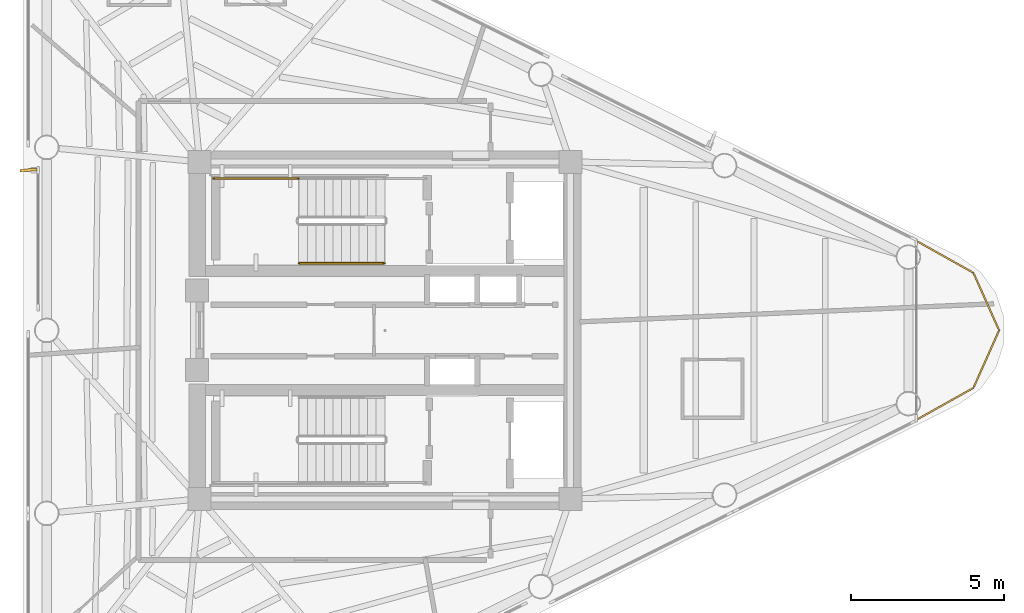
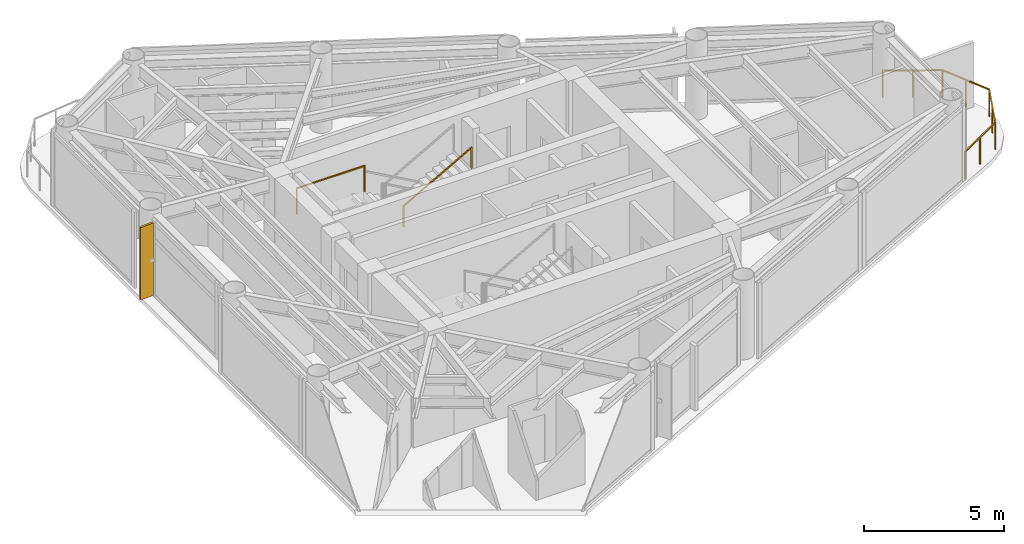
# One storey, part 9 of 10: 3 railings, 1 shading device.
"""IFC4 building model written with IfcOpenShell, lengths in metres."""

from ifc_helpers import new_model, si_unit, direction, frame, origin, origin_2d, place, context, subcontext, project, spatial, rectangle, extrude, source, transform, mapped, material, material_profile, profile_set, type_object, element, save


model = new_model("IFC4")

# Units and contexts
model_context = context("Model", 3, precision=1e-05, world=origin(), true_north=direction((0.0, 1.0)))
body_context = subcontext(model_context, "Body", "Model", "MODEL_VIEW")
ifc_project = project(units=[si_unit("LENGTHUNIT", "METRE"), si_unit("AREAUNIT", "SQUARE_METRE"), si_unit("VOLUMEUNIT", "CUBIC_METRE"), si_unit("PLANEANGLEUNIT", "RADIAN"), si_unit("MASSUNIT", "GRAM", prefix="KILO")], contexts=[model_context])

# Site, building, storey
site_placement = place(None, origin())
site = spatial("IfcSite", under=ifc_project, at=site_placement, CompositionType="ELEMENT")
building_placement = place(site_placement, origin())
building = spatial("IfcBuilding", under=site, at=building_placement, Name="Yunling Apex Tower", CompositionType="ELEMENT")
storey_placement = place(building_placement, frame((0.0, 0.0, 303.64990234375)))
storey = spatial("IfcBuildingStorey", under=building, at=storey_placement, Name="L74", CompositionType="ELEMENT", Elevation=303.64990234375)

# Railings
ifc_material_1 = material(Name="Bronze anodised aluminium", Category="aluminium")
railing_type_1 = type_object("IfcRailingType", Name="RL-BAL-1200", PredefinedType="BALUSTRADE", material=ifc_material_1)
railing_1_placement = place(storey_placement, frame((17.349365234375, 2.919677734375, 0.0)))
element("IfcRailing", 1, at=railing_1_placement, inside=storey, type_object=railing_type_1, Name="RL-CRNSILL-L74-1", PredefinedType="BALUSTRADE", context=body_context, shape_type="SweptSolid", body=[
    extrude(rectangle(XDim=0.0439453125, YDim=0.0439453125, at=origin_2d()), origin(), (0.0, 0.0, 1.0), 1.199951171875),
    extrude(rectangle(XDim=0.0439453125, YDim=0.0439453125, at=origin_2d()), frame((1.85791015625, -1.040771484375, 0.0)), (0.0, 0.0, 1.0), 1.199951171875),
    extrude(rectangle(XDim=0.050048828125, YDim=0.050048828125, at=origin_2d()), frame((0.033447265625, -0.018798828125, 1.1748046875), z_axis=(0.872437584312, -0.488725548216, 0.0), x_axis=(0.488725548216, 0.872437584312, 0.0)), (0.0, 0.0, 1.0), 2.052978515625),
    extrude(rectangle(XDim=0.0439453125, YDim=0.0439453125, at=origin_2d()), frame((0.928955078125, -0.5205078125, 0.0)), (0.0, 0.0, 1.0), 1.14599609375),
    extrude(rectangle(XDim=0.0439453125, YDim=0.0439453125, at=origin_2d()), frame((2.697021484375, -2.919677734375, 0.0)), (0.0, 0.0, 1.0), 1.199951171875),
    extrude(rectangle(XDim=0.050048828125, YDim=0.050048828125, at=origin_2d()), frame((1.87353515625, -1.07568359375, 1.1748046875), z_axis=(0.407778028912, -0.913081091216, 0.0), x_axis=(0.913081091216, 0.407778028912, 0.0)), (0.0, 0.0, 1.0), 1.981201171875),
    extrude(rectangle(XDim=0.0439453125, YDim=0.0439453125, at=origin_2d()), frame((2.27734375, -1.980224609375, 0.0)), (0.0, 0.0, 1.0), 1.14599609375),
    extrude(rectangle(XDim=0.0439453125, YDim=0.0439453125, at=origin_2d()), frame((1.85791015625, -4.798583984375, 0.0)), (0.0, 0.0, 1.0), 1.199951171875),
    extrude(rectangle(XDim=0.050048828125, YDim=0.050048828125, at=origin_2d()), frame((2.681396484375, -2.95458984375, 1.1748046875), z_axis=(-0.407778028912, -0.913081091216, 0.0), x_axis=(0.913081091216, -0.407778028912, 0.0)), (0.0, 0.0, 1.0), 1.981201171875),
    extrude(rectangle(XDim=0.0439453125, YDim=0.0439453125, at=origin_2d()), frame((2.27734375, -3.859130859375, 0.0)), (0.0, 0.0, 1.0), 1.14599609375),
    extrude(rectangle(XDim=0.0439453125, YDim=0.0439453125, at=origin_2d()), frame((0.0, -5.83935546875, 0.0)), (0.0, 0.0, 1.0), 1.199951171875),
    extrude(rectangle(XDim=0.050048828125, YDim=0.050048828125, at=origin_2d()), frame((1.824462890625, -4.8173828125, 1.1748046875), z_axis=(-0.872437584312, -0.488725548216, 0.0), x_axis=(0.488725548216, -0.872437584312, 0.0)), (0.0, 0.0, 1.0), 2.052978515625),
    extrude(rectangle(XDim=0.0439453125, YDim=0.0439453125, at=origin_2d()), frame((0.928955078125, -5.31884765625, 0.0)), (0.0, 0.0, 1.0), 1.14599609375),
])
ifc_material_2 = material(Name="Steel Q355B", Category="steel")
railing_type_2 = type_object("IfcRailingType", Name="RL-GRD-1150", PredefinedType="GUARDRAIL", material=ifc_material_2)
railing_2_placement = place(storey_placement, frame((-2.81005859375, 4.9599609375, 1.72509765625)))
element("IfcRailing", 2, at=railing_2_placement, inside=storey, type_object=railing_type_2, Name="L74 ST-1 stair guard 3", PredefinedType="GUARDRAIL", context=body_context, shape_type="SweptSolid", body=[
    extrude(rectangle(XDim=0.0439453125, YDim=0.0439453125, at=origin_2d()), origin(), (0.0, 0.0, 1.0), 1.14990234375),
    extrude(rectangle(XDim=0.0439453125, YDim=0.0439453125, at=origin_2d()), frame((-2.7900390625, 0.0, 0.0)), (0.0, 0.0, 1.0), 1.14990234375),
    extrude(rectangle(XDim=0.050048828125, YDim=0.050048828125, at=origin_2d()), frame((-0.038330078125, 0.0, 1.125), z_axis=(-1.0, 0.0, 0.0), x_axis=(0.0, -1.0, 0.0)), (0.0, 0.0, 1.0), 2.71337890625),
])
ifc_material_3 = material(Name="Silver anodised aluminium", Category="aluminium")
railing_type_3 = type_object("IfcRailingType", Name="RL-HND-900", PredefinedType="HANDRAIL", material=ifc_material_3)
railing_3_placement = place(storey_placement, frame((-2.81005859375, 2.18994140625, 1.8818359375)))
element("IfcRailing", 3, at=railing_3_placement, inside=storey, type_object=railing_type_3, Name="L74 ST-1 stair handrail 2", PredefinedType="HANDRAIL", context=body_context, shape_type="SweptSolid", body=[
    extrude(rectangle(XDim=0.0439453125, YDim=0.0439453125, at=origin_2d()), origin(), (0.0, 0.0, 1.0), 0.919921875),
    extrude(rectangle(XDim=0.0439453125, YDim=0.0439453125, at=origin_2d()), frame((2.800048828125, 0.0, 1.568359375)), (0.0, 0.0, 1.0), 0.919921875),
    extrude(rectangle(XDim=0.050048828125, YDim=0.050048828125, at=origin_2d()), frame((0.033447265625, 0.0, 0.91357421875), z_axis=(0.872461907711, 0.0, 0.488682125306), x_axis=(0.0, 1.0, 0.0)), (0.0, 0.0, 1.0), 3.1328125),
])

# Shading device
ifc_material_profile = material_profile(ifc_material_1, rectangle(XDim=0.0849609375, YDim=0.550048828125, at=origin_2d()))
ifc_profile_set = profile_set([ifc_material_profile], Name="Bronze anodised aluminium")
shading_device_type = type_object("IfcShadingDeviceType", Name="FN-BRZ-3", PredefinedType="USERDEFINED", material=ifc_profile_set)
shared_shape = source(origin(), body_context, "Body", "SweptSolid", [
    extrude(rectangle(XDim=0.0849609375, YDim=0.550048828125, at=origin_2d()), origin(), (0.0, 0.0, 1.0), 3.14990234375),
])
shading_device_placement = place(storey_placement, frame((-11.63232421875, 5.232666015625, 0.06005859375), z_axis=(0.0, 0.0, 1.0), x_axis=(0.06540312923, -0.997858923239, 0.0)))
element("IfcShadingDevice", 4, at=shading_device_placement, inside=storey, type_object=shading_device_type, Name="CW-L74-F3-B2-FIN-01", ObjectType="FIN", PredefinedType="USERDEFINED", context=body_context, shape_type="MappedRepresentation", body=[
    mapped(shared_shape, transform((0.0, 0.0, 0.0), scale=1.0)),
])

save(model, "model.ifc")
